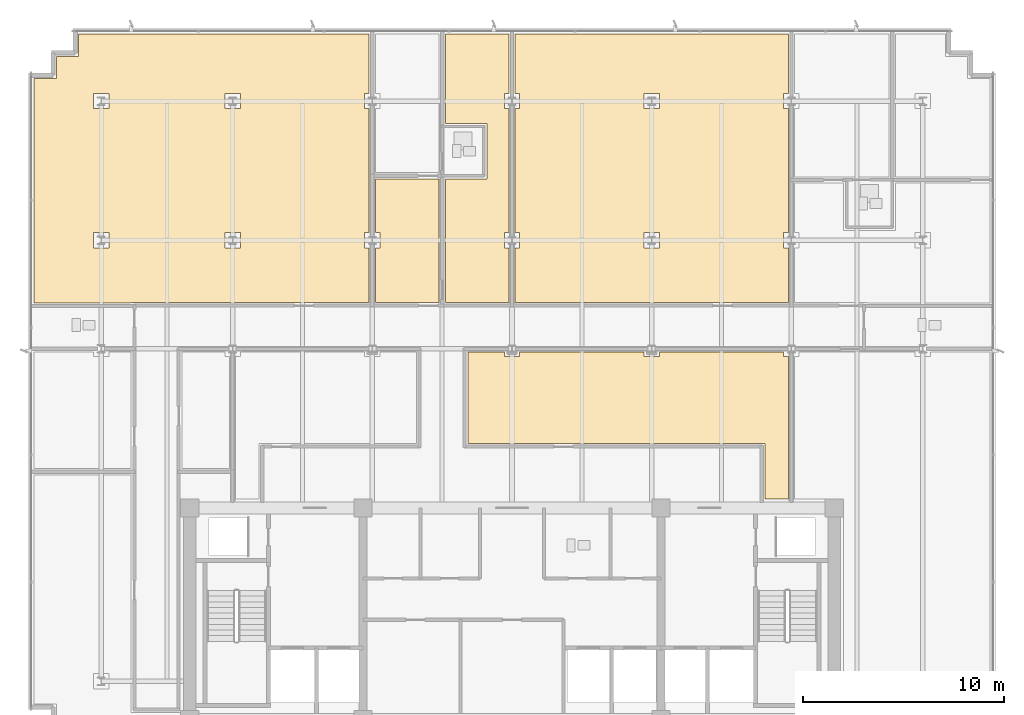
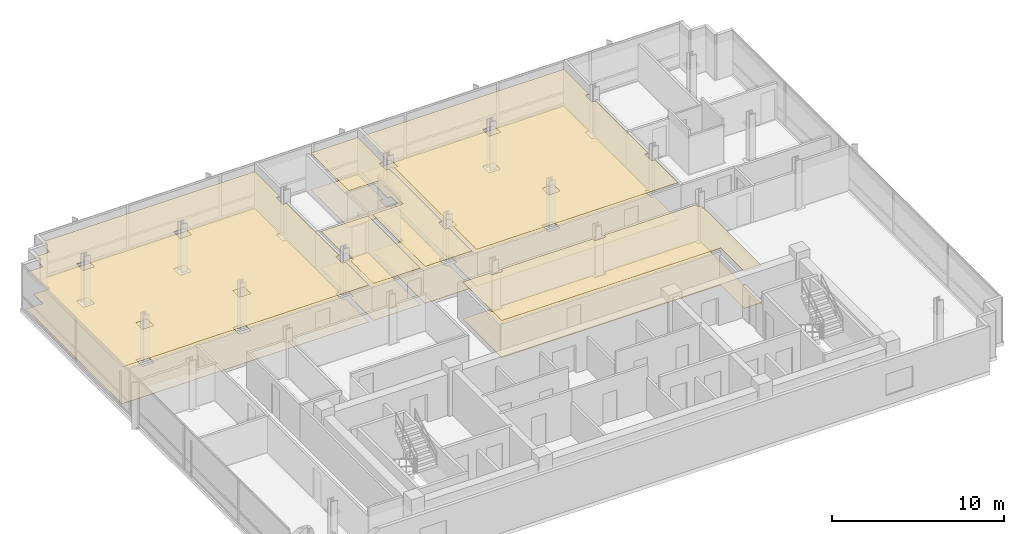
# One storey, part 15 of 18: 10 coverings.
"""IFC4 building model written with IfcOpenShell, lengths in metres."""

from ifc_helpers import new_model, si_unit, direction, frame, origin, place, context, subcontext, project, spatial, polyline, outline, extrude, material, layer, layer_set, type_object, element, save


model = new_model("IFC4")

# Units and contexts
model_context = context("Model", 3, precision=1e-05, world=origin(), true_north=direction((0.0, 1.0)))
body_context = subcontext(model_context, "Body", "Model", "MODEL_VIEW")
ifc_project = project(units=[si_unit("LENGTHUNIT", "METRE"), si_unit("AREAUNIT", "SQUARE_METRE"), si_unit("VOLUMEUNIT", "CUBIC_METRE"), si_unit("PLANEANGLEUNIT", "RADIAN"), si_unit("MASSUNIT", "GRAM", prefix="KILO")], contexts=[model_context])

# Site, building, storey
site_placement = place(None, origin())
site = spatial("IfcSite", under=ifc_project, at=site_placement, CompositionType="ELEMENT")
building_placement = place(site_placement, origin())
building = spatial("IfcBuilding", under=site, at=building_placement, Name="Solmavex Isthmus Hotel", CompositionType="ELEMENT")
storey_placement = place(building_placement, frame((0.0, 0.0, 283.35009765625)))
storey = spatial("IfcBuildingStorey", under=building, at=storey_placement, Name="L77", CompositionType="ELEMENT", Elevation=283.35009765625)

# Coverings
ifc_material_1 = material(Name="Gypsum plasterboard lining", Category="gypsum")
ifc_layer_1 = layer(ifc_material_1, 0.030029296875)
ifc_layer_set_1 = layer_set([ifc_layer_1], Name="Gypsum plasterboard lining")
covering_type_1 = type_object("IfcCoveringType", Name="COV-CEIL-GYP", PredefinedType="CEILING", material=ifc_layer_set_1)
covering_1_placement = place(storey_placement, frame((0.0, 0.0, 2.619873046875)))
element("IfcCovering", 1, at=covering_1_placement, inside=storey, type_object=covering_type_1, Name="Suspended Acoustic Ceiling L77-RM01", PredefinedType="CEILING", context=body_context, shape_type="SweptSolid", body=[
    extrude(outline(polyline([(-18.905029296875, 7.68505859375), (-18.905029296875, 7.705078125), (-7.091064453125, 7.705078125), (-7.091064453125, 10.407958984375), (-7.31591796875, 10.407958984375), (-7.31591796875, 11.16796875), (-7.091064453125, 11.16796875), (-7.091064453125, 17.320068359375), (-7.31591796875, 17.320068359375), (-7.31591796875, 18.080078125), (-7.091064453125, 18.080078125), (-7.091064453125, 21.02490234375), (-21.52490234375, 21.02490234375), (-21.52490234375, 19.925048828125), (-22.625, 19.925048828125), (-22.625, 18.824951171875), (-23.72509765625, 18.824951171875), (-23.72509765625, 7.68505859375), (-18.905029296875, 7.68505859375)]), holes=[polyline([(-14.251953125, 10.407958984375), (-14.251953125, 11.16796875), (-13.491943359375, 11.16796875), (-13.491943359375, 10.407958984375), (-14.251953125, 10.407958984375)]), polyline([(-14.251953125, 17.320068359375), (-14.251953125, 18.080078125), (-13.491943359375, 18.080078125), (-13.491943359375, 17.320068359375), (-14.251953125, 17.320068359375)]), polyline([(-20.780029296875, 10.407958984375), (-20.780029296875, 11.16796875), (-20.02001953125, 11.16796875), (-20.02001953125, 10.407958984375), (-20.780029296875, 10.407958984375)]), polyline([(-20.780029296875, 17.320068359375), (-20.780029296875, 18.080078125), (-20.02001953125, 18.080078125), (-20.02001953125, 17.320068359375), (-20.780029296875, 17.320068359375)])]), origin(), (0.0, 0.0, 1.0), 0.030029296875),
])
covering_2_placement = place(storey_placement, frame((0.0, 0.0, 2.619873046875)))
element("IfcCovering", 2, at=covering_2_placement, inside=storey, type_object=covering_type_1, Name="Suspended Acoustic Ceiling L77-SL02-FY", PredefinedType="CEILING", context=body_context, shape_type="SweptSolid", body=[
    extrude(outline(polyline([(-6.781005859375, 11.16796875), (-6.555908203125, 11.16796875), (-6.555908203125, 10.407958984375), (-6.781005859375, 10.407958984375), (-6.781005859375, 7.705078125), (-3.623046875, 7.705078125), (-3.623046875, 13.8330078125), (-6.781005859375, 13.8330078125), (-6.781005859375, 11.16796875)])), origin(), (0.0, 0.0, 1.0), 0.030029296875),
])
covering_3_placement = place(storey_placement, frame((0.0, 0.0, 2.619873046875)))
element("IfcCovering", 3, at=covering_3_placement, inside=storey, type_object=covering_type_1, Name="Suspended Acoustic Ceiling L77-SV02", PredefinedType="CEILING", context=body_context, shape_type="SweptSolid", body=[
    extrude(outline(polyline([(-0.155029296875, 17.320068359375), (-0.3798828125, 17.320068359375), (-0.3798828125, 18.080078125), (-0.155029296875, 18.080078125), (-0.155029296875, 21.02490234375), (-3.31298828125, 21.02490234375), (-3.31298828125, 16.593017578125), (-1.2451171875, 16.593017578125), (-1.2451171875, 13.8330078125), (-3.31298828125, 13.8330078125), (-3.31298828125, 7.705078125), (-0.155029296875, 7.705078125), (-0.155029296875, 10.407958984375), (-0.3798828125, 10.407958984375), (-0.3798828125, 11.16796875), (-0.155029296875, 11.16796875), (-0.155029296875, 17.320068359375)])), origin(), (0.0, 0.0, 1.0), 0.030029296875),
])
covering_4_placement = place(storey_placement, frame((0.0, 0.0, 2.619873046875)))
element("IfcCovering", 4, at=covering_4_placement, inside=storey, type_object=covering_type_1, Name="Suspended Acoustic Ceiling L77-RM03", PredefinedType="CEILING", context=body_context, shape_type="SweptSolid", body=[
    extrude(outline(polyline([(0.155029296875, 11.16796875), (0.3798828125, 11.16796875), (0.3798828125, 10.407958984375), (0.155029296875, 10.407958984375), (0.155029296875, 7.705078125), (13.717041015625, 7.705078125), (13.717041015625, 10.407958984375), (13.491943359375, 10.407958984375), (13.491943359375, 11.16796875), (13.717041015625, 11.16796875), (13.717041015625, 17.320068359375), (13.491943359375, 17.320068359375), (13.491943359375, 18.080078125), (13.717041015625, 18.080078125), (13.717041015625, 21.02490234375), (0.155029296875, 21.02490234375), (0.155029296875, 18.080078125), (0.3798828125, 18.080078125), (0.3798828125, 17.320068359375), (0.155029296875, 17.320068359375), (0.155029296875, 11.16796875)]), holes=[polyline([(6.555908203125, 10.407958984375), (6.555908203125, 11.16796875), (7.31591796875, 11.16796875), (7.31591796875, 10.407958984375), (6.555908203125, 10.407958984375)]), polyline([(6.555908203125, 17.320068359375), (6.555908203125, 18.080078125), (7.31591796875, 18.080078125), (7.31591796875, 17.320068359375), (6.555908203125, 17.320068359375)])]), origin(), (0.0, 0.0, 1.0), 0.030029296875),
])
covering_5_placement = place(storey_placement, frame((0.0, 0.0, 2.619873046875)))
element("IfcCovering", 5, at=covering_5_placement, inside=storey, type_object=covering_type_1, Name="Suspended Acoustic Ceiling L77-FL10", PredefinedType="CEILING", context=body_context, shape_type="SweptSolid", body=[
    extrude(outline(polyline([(0.3798828125, 5.2451171875), (0.3798828125, 5.02001953125), (-0.3798828125, 5.02001953125), (-0.3798828125, 5.2451171875), (-2.193115234375, 5.2451171875), (-2.193115234375, 0.705078125), (12.554931640625, 0.705078125), (12.554931640625, -2.044921875), (13.717041015625, -2.044921875), (13.717041015625, 5.02001953125), (13.491943359375, 5.02001953125), (13.491943359375, 5.2451171875), (7.31591796875, 5.2451171875), (7.31591796875, 5.02001953125), (6.555908203125, 5.02001953125), (6.555908203125, 5.2451171875), (0.3798828125, 5.2451171875)])), origin(), (0.0, 0.0, 1.0), 0.030029296875),
])
ifc_material_2 = material(Name="Travertine natural stone", Category="masonry")
ifc_layer_2 = layer(ifc_material_2, 0.02490234375)
ifc_layer_set_2 = layer_set([ifc_layer_2], Name="Travertine natural stone")
covering_type_2 = type_object("IfcCoveringType", Name="COV-FLOR-STN", PredefinedType="FLOORING", material=ifc_layer_set_2)
covering_6_placement = place(storey_placement, origin())
element("IfcCovering", 6, at=covering_6_placement, inside=storey, type_object=covering_type_2, Name="Stone and Timber Floor Finish L77-RM01", PredefinedType="FLOORING", context=body_context, shape_type="SweptSolid", body=[
    extrude(outline(polyline([(-18.905029296875, 7.68505859375), (-18.905029296875, 7.705078125), (-7.091064453125, 7.705078125), (-7.091064453125, 10.407958984375), (-7.31591796875, 10.407958984375), (-7.31591796875, 11.16796875), (-7.091064453125, 11.16796875), (-7.091064453125, 17.320068359375), (-7.31591796875, 17.320068359375), (-7.31591796875, 18.080078125), (-7.091064453125, 18.080078125), (-7.091064453125, 21.02490234375), (-21.52490234375, 21.02490234375), (-21.52490234375, 19.925048828125), (-22.625, 19.925048828125), (-22.625, 18.824951171875), (-23.72509765625, 18.824951171875), (-23.72509765625, 7.68505859375), (-18.905029296875, 7.68505859375)]), holes=[polyline([(-14.251953125, 10.407958984375), (-14.251953125, 11.16796875), (-13.491943359375, 11.16796875), (-13.491943359375, 10.407958984375), (-14.251953125, 10.407958984375)]), polyline([(-14.251953125, 17.320068359375), (-14.251953125, 18.080078125), (-13.491943359375, 18.080078125), (-13.491943359375, 17.320068359375), (-14.251953125, 17.320068359375)]), polyline([(-20.780029296875, 10.407958984375), (-20.780029296875, 11.16796875), (-20.02001953125, 11.16796875), (-20.02001953125, 10.407958984375), (-20.780029296875, 10.407958984375)]), polyline([(-20.780029296875, 17.320068359375), (-20.780029296875, 18.080078125), (-20.02001953125, 18.080078125), (-20.02001953125, 17.320068359375), (-20.780029296875, 17.320068359375)])]), origin(), (0.0, 0.0, 1.0), 0.02490234375),
])
covering_7_placement = place(storey_placement, origin())
element("IfcCovering", 7, at=covering_7_placement, inside=storey, type_object=covering_type_2, Name="Stone and Timber Floor Finish L77-SL02-FY", PredefinedType="FLOORING", context=body_context, shape_type="SweptSolid", body=[
    extrude(outline(polyline([(-6.781005859375, 11.16796875), (-6.555908203125, 11.16796875), (-6.555908203125, 10.407958984375), (-6.781005859375, 10.407958984375), (-6.781005859375, 7.705078125), (-3.623046875, 7.705078125), (-3.623046875, 13.8330078125), (-6.781005859375, 13.8330078125), (-6.781005859375, 11.16796875)])), origin(), (0.0, 0.0, 1.0), 0.02490234375),
])
covering_8_placement = place(storey_placement, origin())
element("IfcCovering", 8, at=covering_8_placement, inside=storey, type_object=covering_type_2, Name="Stone and Timber Floor Finish L77-SV02", PredefinedType="FLOORING", context=body_context, shape_type="SweptSolid", body=[
    extrude(outline(polyline([(-0.155029296875, 17.320068359375), (-0.3798828125, 17.320068359375), (-0.3798828125, 18.080078125), (-0.155029296875, 18.080078125), (-0.155029296875, 21.02490234375), (-3.31298828125, 21.02490234375), (-3.31298828125, 16.593017578125), (-1.2451171875, 16.593017578125), (-1.2451171875, 13.8330078125), (-3.31298828125, 13.8330078125), (-3.31298828125, 7.705078125), (-0.155029296875, 7.705078125), (-0.155029296875, 10.407958984375), (-0.3798828125, 10.407958984375), (-0.3798828125, 11.16796875), (-0.155029296875, 11.16796875), (-0.155029296875, 17.320068359375)])), origin(), (0.0, 0.0, 1.0), 0.02490234375),
])
covering_9_placement = place(storey_placement, origin())
element("IfcCovering", 9, at=covering_9_placement, inside=storey, type_object=covering_type_2, Name="Stone and Timber Floor Finish L77-RM03", PredefinedType="FLOORING", context=body_context, shape_type="SweptSolid", body=[
    extrude(outline(polyline([(0.155029296875, 11.16796875), (0.3798828125, 11.16796875), (0.3798828125, 10.407958984375), (0.155029296875, 10.407958984375), (0.155029296875, 7.705078125), (13.717041015625, 7.705078125), (13.717041015625, 10.407958984375), (13.491943359375, 10.407958984375), (13.491943359375, 11.16796875), (13.717041015625, 11.16796875), (13.717041015625, 17.320068359375), (13.491943359375, 17.320068359375), (13.491943359375, 18.080078125), (13.717041015625, 18.080078125), (13.717041015625, 21.02490234375), (0.155029296875, 21.02490234375), (0.155029296875, 18.080078125), (0.3798828125, 18.080078125), (0.3798828125, 17.320068359375), (0.155029296875, 17.320068359375), (0.155029296875, 11.16796875)]), holes=[polyline([(6.555908203125, 10.407958984375), (6.555908203125, 11.16796875), (7.31591796875, 11.16796875), (7.31591796875, 10.407958984375), (6.555908203125, 10.407958984375)]), polyline([(6.555908203125, 17.320068359375), (6.555908203125, 18.080078125), (7.31591796875, 18.080078125), (7.31591796875, 17.320068359375), (6.555908203125, 17.320068359375)])]), origin(), (0.0, 0.0, 1.0), 0.02490234375),
])
covering_10_placement = place(storey_placement, origin())
element("IfcCovering", 10, at=covering_10_placement, inside=storey, type_object=covering_type_2, Name="Stone and Timber Floor Finish L77-FL10", PredefinedType="FLOORING", context=body_context, shape_type="SweptSolid", body=[
    extrude(outline(polyline([(0.3798828125, 5.2451171875), (0.3798828125, 5.02001953125), (-0.3798828125, 5.02001953125), (-0.3798828125, 5.2451171875), (-2.193115234375, 5.2451171875), (-2.193115234375, 0.705078125), (12.554931640625, 0.705078125), (12.554931640625, -2.044921875), (13.717041015625, -2.044921875), (13.717041015625, 5.02001953125), (13.491943359375, 5.02001953125), (13.491943359375, 5.2451171875), (7.31591796875, 5.2451171875), (7.31591796875, 5.02001953125), (6.555908203125, 5.02001953125), (6.555908203125, 5.2451171875), (0.3798828125, 5.2451171875)])), origin(), (0.0, 0.0, 1.0), 0.02490234375),
])

save(model, "model.ifc")
